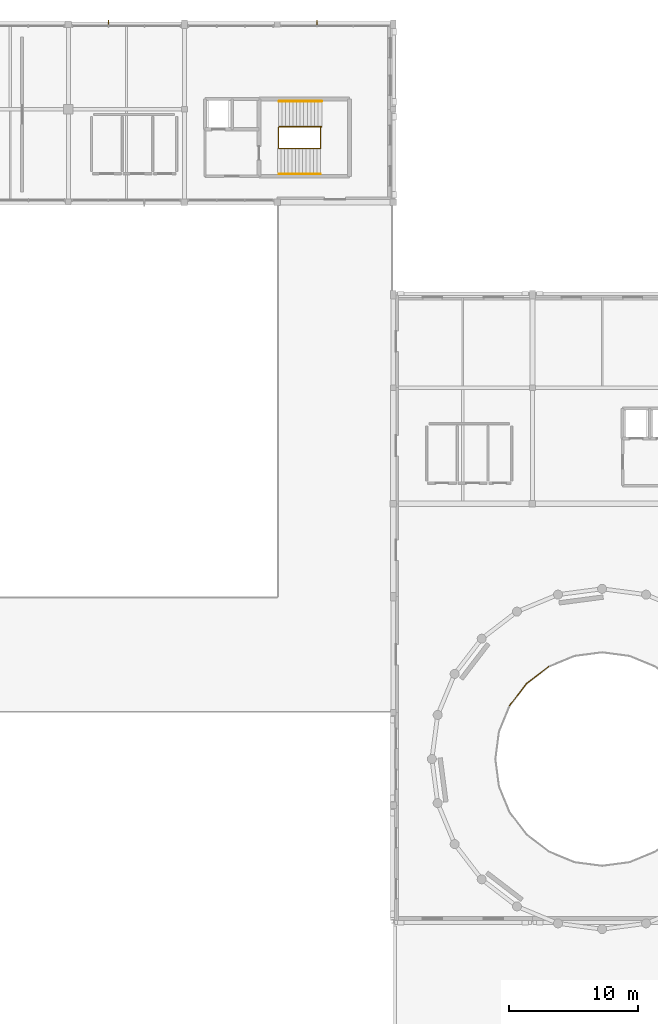
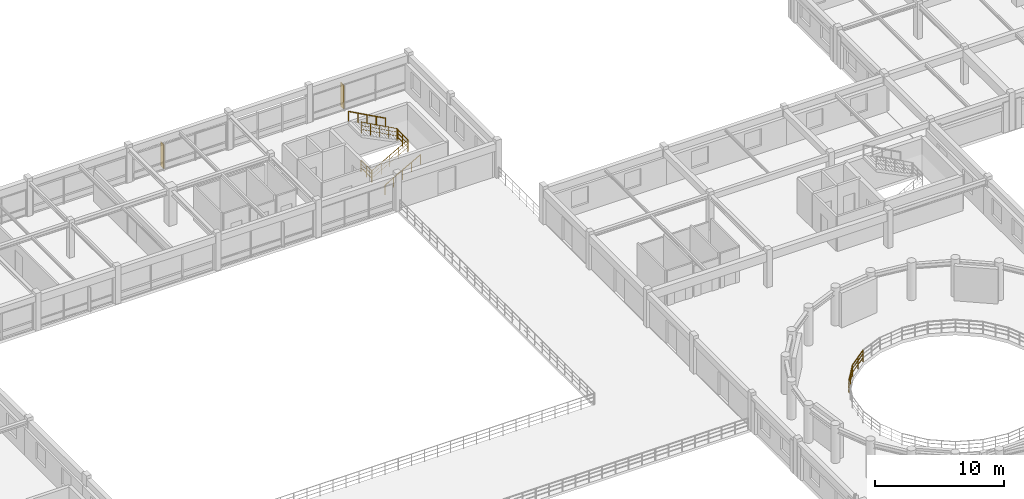
# One storey, part 68 of 74: 8 railings, 2 shading devices.
"""IFC4 building model written with IfcOpenShell, lengths in metres."""

from ifc_helpers import new_model, si_unit, direction, frame, frame_2d, origin, origin_2d, place, context, subcontext, project, spatial, rectangle, circle, extrude, material, layer, layer_set, type_object, element, save


model = new_model("IFC4")

# Units and contexts
model_context = context("Model", 3, precision=1e-05, world=origin(), true_north=direction((0.0, 1.0)))
body_context = subcontext(model_context, "Body", "Model", "MODEL_VIEW")
ifc_project = project(units=[si_unit("LENGTHUNIT", "METRE"), si_unit("AREAUNIT", "SQUARE_METRE"), si_unit("VOLUMEUNIT", "CUBIC_METRE"), si_unit("PLANEANGLEUNIT", "RADIAN"), si_unit("MASSUNIT", "GRAM", prefix="KILO")], contexts=[model_context])

# Site, building, storey
site_placement = place(None, origin())
site = spatial("IfcSite", under=ifc_project, at=site_placement, CompositionType="ELEMENT")
building_placement = place(site_placement, origin())
building = spatial("IfcBuilding", under=site, at=building_placement, Name="Clarverna Civic Hall", CompositionType="ELEMENT")
storey_placement = place(building_placement, frame((0.0, 0.0, 13.199951171875)))
storey = spatial("IfcBuildingStorey", under=building, at=storey_placement, Name="L03", CompositionType="ELEMENT", Elevation=13.199951171875)

# Railings
ifc_material_1 = material(Name="Anodised Bronze Architectural Balustrade")
railing_type_1 = type_object("IfcRailingType", Name="GR-02", PredefinedType="BALUSTRADE", material=ifc_material_1)
railing_1_placement = place(storey_placement, frame((57.75, 106.360107421875, 0.0)))
element("IfcRailing", 1, at=railing_1_placement, inside=storey, type_object=railing_type_1, Name="GR-02-191", PredefinedType="BALUSTRADE", context=body_context, shape_type="SweptSolid", body=[
    extrude(circle(Radius=0.02392578125, at=origin_2d()), frame((0.0, 0.0, 1.09619140625), z_axis=(0.871901705862, 0.0, 0.489680932154), x_axis=(0.0, 1.0, 0.0)), (0.0, 0.0, 1.0), 3.676025390625),
    extrude(circle(Radius=0.011962890625, at=origin_2d()), frame((0.0, 0.0, 0.39208984375), z_axis=(0.871901705862, 0.0, 0.489680932154), x_axis=(0.0, 1.0, 0.0)), (0.0, 0.0, 1.0), 3.676025390625),
    extrude(circle(Radius=0.011962890625, at=origin_2d()), frame((0.0, 0.0, 0.76171875), z_axis=(0.871901705862, 0.0, 0.489680932154), x_axis=(0.0, 1.0, 0.0)), (0.0, 0.0, 1.0), 3.676025390625),
    extrude(circle(Radius=0.02099609375, at=origin_2d()), origin(), (0.0, 0.0, 1.0), 1.072021484375),
    extrude(circle(Radius=0.02099609375, at=origin_2d()), frame((0.80126953125, 0.0, 0.449951171875)), (0.0, 0.0, 1.0), 1.072021484375),
    extrude(circle(Radius=0.02099609375, at=origin_2d()), frame((1.6025390625, 0.0, 0.89990234375)), (0.0, 0.0, 1.0), 1.072021484375),
    extrude(circle(Radius=0.02099609375, at=origin_2d()), frame((2.40380859375, 0.0, 1.35009765625)), (0.0, 0.0, 1.0), 1.072021484375),
    extrude(circle(Radius=0.02099609375, at=origin_2d()), frame((3.205078125, 0.0, 1.800048828125)), (0.0, 0.0, 1.0), 1.072021484375),
])
railing_2_placement = place(storey_placement, frame((60.955078125, 106.360107421875, 1.800048828125)))
element("IfcRailing", 2, at=railing_2_placement, inside=storey, type_object=railing_type_1, Name="GR-02-192", PredefinedType="BALUSTRADE", context=body_context, shape_type="SweptSolid", body=[
    extrude(circle(Radius=0.02392578125, at=origin_2d()), frame((0.0, 0.0, 1.09619140625), z_axis=(0.0, 1.0, 0.0), x_axis=(-1.0, 0.0, 0.0)), (0.0, 0.0, 1.0), 1.679931640625),
    extrude(circle(Radius=0.011962890625, at=origin_2d()), frame((0.0, 0.0, 0.39208984375), z_axis=(0.0, 1.0, 0.0), x_axis=(-1.0, 0.0, 0.0)), (0.0, 0.0, 1.0), 1.679931640625),
    extrude(circle(Radius=0.011962890625, at=origin_2d()), frame((0.0, 0.0, 0.76171875), z_axis=(0.0, 1.0, 0.0), x_axis=(-1.0, 0.0, 0.0)), (0.0, 0.0, 1.0), 1.679931640625),
    extrude(circle(Radius=0.02099609375, at=origin_2d()), origin(), (0.0, 0.0, 1.0), 1.072021484375),
    extrude(circle(Radius=0.02099609375, at=origin_2d()), frame((0.0, 0.83984375, 0.0)), (0.0, 0.0, 1.0), 1.072021484375),
    extrude(circle(Radius=0.02099609375, at=origin_2d()), frame((0.0, 1.679931640625, 0.0)), (0.0, 0.0, 1.0), 1.072021484375),
])
railing_3_placement = place(storey_placement, frame((61.044921875, 108.0400390625, 1.800048828125)))
element("IfcRailing", 3, at=railing_3_placement, inside=storey, type_object=railing_type_1, Name="GR-02-193", PredefinedType="BALUSTRADE", context=body_context, shape_type="SweptSolid", body=[
    extrude(circle(Radius=0.02392578125, at=origin_2d()), frame((0.0, 0.0, 1.09619140625), z_axis=(-0.877579782342, 0.0, 0.479430626498), x_axis=(0.0, -1.0, 0.0)), (0.0, 0.0, 1.0), 3.754638671875),
    extrude(circle(Radius=0.011962890625, at=origin_2d()), frame((0.0, 0.0, 0.39208984375), z_axis=(-0.877579782342, 0.0, 0.479430626498), x_axis=(0.0, -1.0, 0.0)), (0.0, 0.0, 1.0), 3.754638671875),
    extrude(circle(Radius=0.011962890625, at=origin_2d()), frame((0.0, 0.0, 0.76171875), z_axis=(-0.877579782342, 0.0, 0.479430626498), x_axis=(0.0, -1.0, 0.0)), (0.0, 0.0, 1.0), 3.754638671875),
    extrude(circle(Radius=0.02099609375, at=origin_2d()), origin(), (0.0, 0.0, 1.0), 1.072021484375),
    extrude(circle(Radius=0.02099609375, at=origin_2d()), frame((-0.82373046875, 0.0, 0.449951171875)), (0.0, 0.0, 1.0), 1.072021484375),
    extrude(circle(Radius=0.02099609375, at=origin_2d()), frame((-1.6474609375, 0.0, 0.89990234375)), (0.0, 0.0, 1.0), 1.072021484375),
    extrude(circle(Radius=0.02099609375, at=origin_2d()), frame((-2.47119140625, 0.0, 1.35009765625)), (0.0, 0.0, 1.0), 1.072021484375),
    extrude(circle(Radius=0.02099609375, at=origin_2d()), frame((-3.294921875, 0.0, 1.800048828125)), (0.0, 0.0, 1.0), 1.072021484375),
])
railing_4_placement = place(storey_placement, frame((57.7099609375, 106.39990234375, 0.0)))
element("IfcRailing", 4, at=railing_4_placement, inside=storey, type_object=railing_type_1, Name="GR-02-194", PredefinedType="BALUSTRADE", context=body_context, shape_type="SweptSolid", body=[
    extrude(circle(Radius=0.02392578125, at=origin_2d()), frame((0.0, 0.0, 1.09619140625), z_axis=(0.0, 1.0, 0.0), x_axis=(-1.0, 0.0, 0.0)), (0.0, 0.0, 1.0), 1.60009765625),
    extrude(circle(Radius=0.011962890625, at=origin_2d()), frame((0.0, 0.0, 0.39208984375), z_axis=(0.0, 1.0, 0.0), x_axis=(-1.0, 0.0, 0.0)), (0.0, 0.0, 1.0), 1.60009765625),
    extrude(circle(Radius=0.011962890625, at=origin_2d()), frame((0.0, 0.0, 0.76171875), z_axis=(0.0, 1.0, 0.0), x_axis=(-1.0, 0.0, 0.0)), (0.0, 0.0, 1.0), 1.60009765625),
    extrude(circle(Radius=0.02099609375, at=origin_2d()), origin(), (0.0, 0.0, 1.0), 1.072021484375),
    extrude(circle(Radius=0.02099609375, at=origin_2d()), frame((0.0, 0.800048828125, 0.0)), (0.0, 0.0, 1.0), 1.072021484375),
    extrude(circle(Radius=0.02099609375, at=origin_2d()), frame((0.0, 1.60009765625, 0.0)), (0.0, 0.0, 1.0), 1.072021484375),
])
railing_5_placement = place(storey_placement, frame((75.628662109375, 63.140380859375, 0.0)))
element("IfcRailing", 5, at=railing_5_placement, inside=storey, type_object=railing_type_1, Name="GR-02-254", PredefinedType="BALUSTRADE", context=body_context, shape_type="SweptSolid", body=[
    extrude(circle(Radius=0.02392578125, at=origin_2d()), frame((0.0, 0.0, 1.09619140625), z_axis=(0.608727870698, 0.793379089361, 0.0), x_axis=(-0.793379089361, 0.608727870698, 0.0)), (0.0, 0.0, 1.0), 2.161865234375),
    extrude(circle(Radius=0.011962890625, at=origin_2d()), frame((0.0, 0.0, 0.39208984375), z_axis=(0.608727870698, 0.793379089361, 0.0), x_axis=(-0.793379089361, 0.608727870698, 0.0)), (0.0, 0.0, 1.0), 2.161865234375),
    extrude(circle(Radius=0.011962890625, at=origin_2d()), frame((0.0, 0.0, 0.76171875), z_axis=(0.608727870698, 0.793379089361, 0.0), x_axis=(-0.793379089361, 0.608727870698, 0.0)), (0.0, 0.0, 1.0), 2.161865234375),
    extrude(circle(Radius=0.02099609375, at=origin_2d()), origin(), (0.0, 0.0, 1.0), 1.072021484375),
    extrude(circle(Radius=0.02099609375, at=origin_2d()), frame((0.657958984375, 0.857421875, 0.0)), (0.0, 0.0, 1.0), 1.072021484375),
    extrude(circle(Radius=0.02099609375, at=origin_2d()), frame((1.31591796875, 1.715087890625, 0.0)), (0.0, 0.0, 1.0), 1.072021484375),
])
railing_6_placement = place(storey_placement, frame((76.944580078125, 64.85546875, 0.0)))
element("IfcRailing", 6, at=railing_6_placement, inside=storey, type_object=railing_type_1, Name="GR-02-255", PredefinedType="BALUSTRADE", context=body_context, shape_type="SweptSolid", body=[
    extrude(circle(Radius=0.02392578125, at=origin_2d()), frame((0.0, 0.0, 1.09619140625), z_axis=(0.793379089361, 0.608727870698, 0.0), x_axis=(-0.608727870698, 0.793379089361, 0.0)), (0.0, 0.0, 1.0), 2.161865234375),
    extrude(circle(Radius=0.011962890625, at=origin_2d()), frame((0.0, 0.0, 0.39208984375), z_axis=(0.793379089361, 0.608727870698, 0.0), x_axis=(-0.608727870698, 0.793379089361, 0.0)), (0.0, 0.0, 1.0), 2.161865234375),
    extrude(circle(Radius=0.011962890625, at=origin_2d()), frame((0.0, 0.0, 0.76171875), z_axis=(0.793379089361, 0.608727870698, 0.0), x_axis=(-0.608727870698, 0.793379089361, 0.0)), (0.0, 0.0, 1.0), 2.161865234375),
    extrude(circle(Radius=0.02099609375, at=origin_2d()), origin(), (0.0, 0.0, 1.0), 1.072021484375),
    extrude(circle(Radius=0.02099609375, at=origin_2d()), frame((0.857421875, 0.657958984375, 0.0)), (0.0, 0.0, 1.0), 1.072021484375),
    extrude(circle(Radius=0.02099609375, at=origin_2d()), frame((1.715087890625, 1.31591796875, 0.0)), (0.0, 0.0, 1.0), 1.072021484375),
])
ifc_material_2 = material(Name="Anodised Bronze Continuous Handrail")
railing_type_2 = type_object("IfcRailingType", Name="HR-01", PredefinedType="HANDRAIL", material=ifc_material_2)
railing_7_placement = place(storey_placement, frame((57.75, 104.3798828125, 0.0)))
element("IfcRailing", 7, at=railing_7_placement, inside=storey, type_object=railing_type_2, Name="HR-01-095", PredefinedType="HANDRAIL", context=body_context, shape_type="SweptSolid", body=[
    extrude(circle(Radius=0.02392578125, at=origin_2d()), frame((0.0, 0.0, 0.89599609375), z_axis=(0.87090897868, 0.0, 0.491444351738), x_axis=(0.0, 1.0, 0.0)), (0.0, 0.0, 1.0), 3.662841796875),
    extrude(circle(Radius=0.02099609375, at=origin_2d()), origin(), (0.0, 0.0, 1.0), 0.871826171875),
    extrude(circle(Radius=0.02099609375, at=origin_2d()), frame((0.79736328125, 0.0, 0.449951171875)), (0.0, 0.0, 1.0), 0.871826171875),
    extrude(circle(Radius=0.02099609375, at=origin_2d()), frame((1.594970703125, 0.0, 0.89990234375)), (0.0, 0.0, 1.0), 0.871826171875),
    extrude(circle(Radius=0.02099609375, at=origin_2d()), frame((2.392578125, 0.0, 1.35009765625)), (0.0, 0.0, 1.0), 0.871826171875),
    extrude(circle(Radius=0.02099609375, at=origin_2d()), frame((3.18994140625, 0.0, 1.800048828125)), (0.0, 0.0, 1.0), 0.871826171875),
])
railing_8_placement = place(storey_placement, frame((61.06005859375, 110.02001953125, 1.800048828125)))
element("IfcRailing", 8, at=railing_8_placement, inside=storey, type_object=railing_type_2, Name="HR-01-096", PredefinedType="HANDRAIL", context=body_context, shape_type="SweptSolid", body=[
    extrude(circle(Radius=0.02392578125, at=origin_2d()), frame((0.0, 0.0, 0.89599609375), z_axis=(-0.878501555178, 0.0, 0.477739487116), x_axis=(0.0, -1.0, 0.0)), (0.0, 0.0, 1.0), 3.767822265625),
    extrude(circle(Radius=0.02099609375, at=origin_2d()), origin(), (0.0, 0.0, 1.0), 0.871826171875),
    extrude(circle(Radius=0.02099609375, at=origin_2d()), frame((-0.82763671875, 0.0, 0.449951171875)), (0.0, 0.0, 1.0), 0.871826171875),
    extrude(circle(Radius=0.02099609375, at=origin_2d()), frame((-1.655029296875, 0.0, 0.89990234375)), (0.0, 0.0, 1.0), 0.871826171875),
    extrude(circle(Radius=0.02099609375, at=origin_2d()), frame((-2.482421875, 0.0, 1.35009765625)), (0.0, 0.0, 1.0), 0.871826171875),
    extrude(circle(Radius=0.02099609375, at=origin_2d()), frame((-3.31005859375, 0.0, 1.800048828125)), (0.0, 0.0, 1.0), 0.871826171875),
])

# Shading devices
ifc_material_3 = material(Name="Anodised Bronze Architectural Solar Fin", Category="aluminium")
ifc_layer = layer(ifc_material_3, 0.054931640625)
ifc_layer_set = layer_set([ifc_layer], Name="Anodised Bronze Architectural Solar Fin")
shading_device_type = type_object("IfcShadingDeviceType", Name="SD-FN1", PredefinedType="USERDEFINED", material=ifc_layer_set)
shading_device_1_placement = place(storey_placement, frame((44.51611328125, 115.830078125, 0.150146484375), z_axis=(0.0, 0.0, 1.0), x_axis=(0.0, 1.0, 0.0)))
element("IfcShadingDevice", 9, at=shading_device_1_placement, inside=storey, type_object=shading_device_type, Name="SD-FN1-040", ObjectType="FIN", PredefinedType="USERDEFINED", context=body_context, shape_type="SweptSolid", body=[
    extrude(rectangle(XDim=0.47998046875, YDim=0.054931640625, at=frame_2d((0.239990234375, 0.0))), origin(), (0.0, 0.0, 1.0), 2.31982421875),
])
shading_device_2_placement = place(storey_placement, frame((60.69921875, 115.830078125, 0.150146484375), z_axis=(0.0, 0.0, 1.0), x_axis=(0.0, 1.0, 0.0)))
element("IfcShadingDevice", 10, at=shading_device_2_placement, inside=storey, type_object=shading_device_type, Name="SD-FN1-041", ObjectType="FIN", PredefinedType="USERDEFINED", context=body_context, shape_type="SweptSolid", body=[
    extrude(rectangle(XDim=0.47998046875, YDim=0.054931640625, at=frame_2d((0.239990234375, 0.0))), origin(), (0.0, 0.0, 1.0), 2.27978515625),
])

save(model, "model.ifc")
